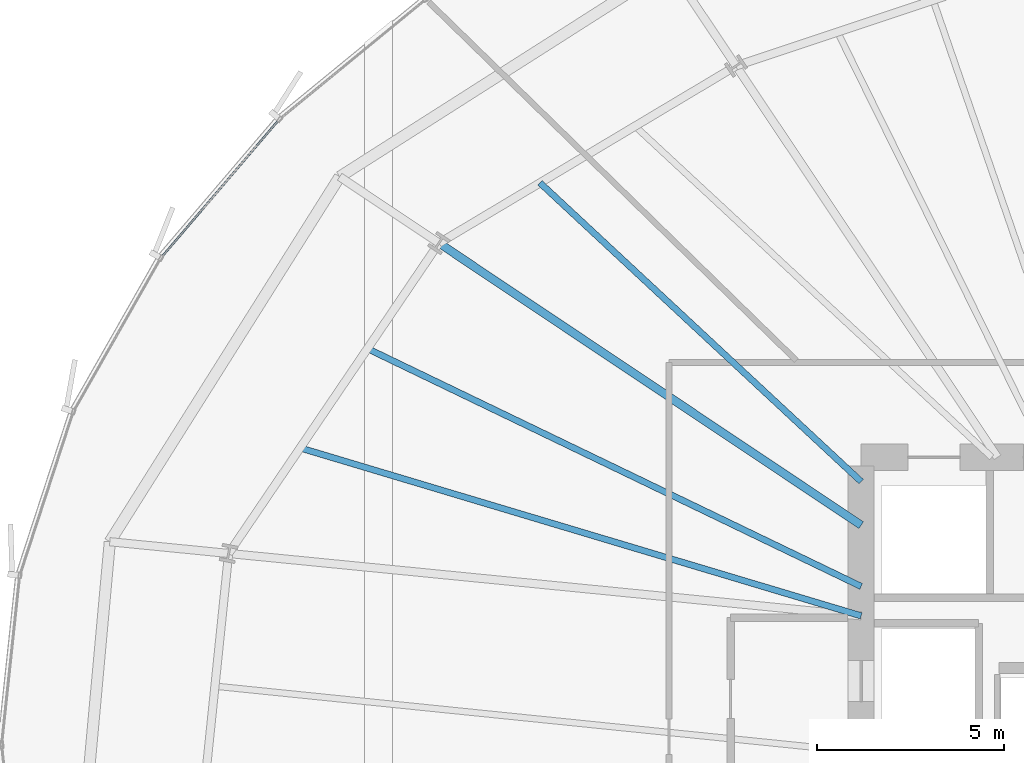
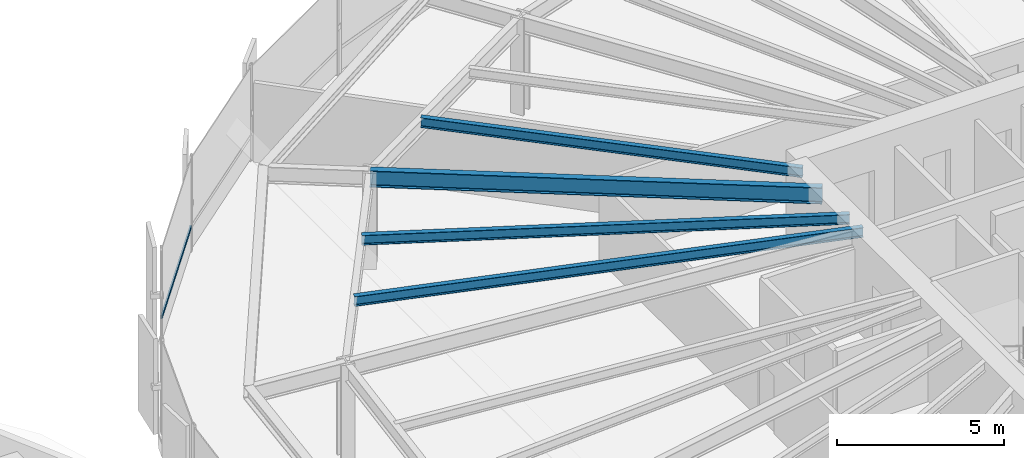
# One storey, part 16 of 38: 4 beams, 1 member, 1 element without a shape of its own.
"""IFC4 building model written with IfcOpenShell, lengths in metres."""

from ifc_helpers import new_model, si_unit, direction, frame, origin, origin_2d, place, context, subcontext, project, spatial, hollow_rectangle, i_section, extrude, source, transform, mapped, material, layer, layer_set, material_profile, profile_set, type_object, element, aggregate, save


model = new_model("IFC4")

# Units and contexts
model_context = context("Model", 3, precision=1e-05, world=origin(), true_north=direction((0.0, 1.0)))
body_context = subcontext(model_context, "Body", "Model", "MODEL_VIEW")
ifc_project = project(units=[si_unit("LENGTHUNIT", "METRE"), si_unit("AREAUNIT", "SQUARE_METRE"), si_unit("VOLUMEUNIT", "CUBIC_METRE"), si_unit("PLANEANGLEUNIT", "RADIAN"), si_unit("MASSUNIT", "GRAM", prefix="KILO"), si_unit("THERMODYNAMICTEMPERATUREUNIT", "KELVIN")], contexts=[model_context])

# Site, building, storey
site_placement = place(None, origin())
site = spatial("IfcSite", under=ifc_project, at=site_placement, CompositionType="ELEMENT")
building_placement = place(site_placement, origin())
building = spatial("IfcBuilding", under=site, at=building_placement, Name="Kethvar Cultural Tower", CompositionType="ELEMENT")
storey_placement = place(building_placement, frame((0.0, 0.0, 29.60009765625)))
storey = spatial("IfcBuildingStorey", under=building, at=storey_placement, Name="L06", CompositionType="ELEMENT", Elevation=29.60009765625)

# Beams
ifc_material_1 = material(Name="Steel S355J2", Category="steel")
ifc_material_profile_1 = material_profile(ifc_material_1, i_section(OverallWidth=0.219970703125, OverallDepth=0.60009765625, WebThickness=0.011962890625, FlangeThickness=0.01904296875, FilletRadius=0.02392578125, at=origin_2d()), Name="Steel S355J2 — IPE600")
ifc_profile_set_1 = profile_set([ifc_material_profile_1], Name="Steel S355J2 — IPE600")
beam_type_1 = type_object("IfcBeamType", Name="BM-IPE600", PredefinedType="BEAM", material=ifc_profile_set_1)
shared_shape_1 = source(origin(), body_context, "Body", "SweptSolid", [
    extrude(i_section(OverallWidth=0.219970703125, OverallDepth=0.60009765625, WebThickness=0.011962890625, FlangeThickness=0.01904296875, FilletRadius=0.02392578125, at=origin_2d()), origin(), (0.0, 0.0, 1.0), 13.60888671875),
])
beam_1_placement = place(storey_placement, frame((38.0, 33.679931640625, 3.247802734375), z_axis=(-0.831467486755, 0.555573414113, 0.0), x_axis=(-0.555573414113, -0.831467486755, 0.0)))
element("IfcBeam", 1, at=beam_1_placement, inside=storey, type_object=beam_type_1, Name="L06 Primary Radial Beam RB-07", PredefinedType="BEAM", context=body_context, shape_type="MappedRepresentation", body=[
    mapped(shared_shape_1, transform((0.0, 0.0, 0.0), scale=1.0)),
])
ifc_material_profile_2 = material_profile(ifc_material_1, i_section(OverallWidth=0.169921875, OverallDepth=0.360107421875, WebThickness=0.008056640625, FlangeThickness=0.0126953125, FilletRadius=0.01806640625, at=origin_2d()), Name="Steel S355J2 — IPE360")
ifc_profile_set_2 = profile_set([ifc_material_profile_2], Name="Steel S355J2 — IPE360")
beam_type_2 = type_object("IfcBeamType", Name="BM-J360", PredefinedType="JOIST", material=ifc_profile_set_2)
shared_shape_2 = source(origin(), body_context, "Body", "SweptSolid", [
    extrude(i_section(OverallWidth=0.169921875, OverallDepth=0.360107421875, WebThickness=0.008056640625, FlangeThickness=0.0126953125, FilletRadius=0.01806640625, at=origin_2d()), origin(), (0.0, 0.0, 1.0), 11.75537109375),
])
beam_2_placement = place(storey_placement, frame((38.0, 34.85009765625, 3.367919921875), z_axis=(-0.732290300234, 0.680992596276, 0.0), x_axis=(-0.680992596276, -0.732290300234, 0.0)))
element("IfcBeam", 2, at=beam_2_placement, inside=storey, type_object=beam_type_2, Name="L06 Composite Floor Joist J-06B", PredefinedType="JOIST", context=body_context, shape_type="MappedRepresentation", body=[
    mapped(shared_shape_2, transform((0.0, 0.0, 0.0), scale=1.0)),
])
shared_shape_3 = source(origin(), body_context, "Body", "SweptSolid", [
    extrude(i_section(OverallWidth=0.169921875, OverallDepth=0.360107421875, WebThickness=0.008056640625, FlangeThickness=0.0126953125, FilletRadius=0.01806640625, at=origin_2d()), origin(), (0.0, 0.0, 1.0), 14.687255859375),
])
beam_3_placement = place(storey_placement, frame((38.0, 32.038818359375, 3.367919921875), z_axis=(-0.900928984091, 0.433966548971, 0.0), x_axis=(-0.433966548971, -0.900928984091, 0.0)))
element("IfcBeam", 3, at=beam_3_placement, inside=storey, type_object=beam_type_2, Name="L06 Composite Floor Joist J-07A", PredefinedType="JOIST", context=body_context, shape_type="MappedRepresentation", body=[
    mapped(shared_shape_3, transform((0.0, 0.0, 0.0), scale=1.0)),
])
shared_shape_4 = source(origin(), body_context, "Body", "SweptSolid", [
    extrude(i_section(OverallWidth=0.169921875, OverallDepth=0.360107421875, WebThickness=0.008056640625, FlangeThickness=0.0126953125, FilletRadius=0.01806640625, at=origin_2d()), origin(), (0.0, 0.0, 1.0), 15.6953125),
])
beam_4_placement = place(storey_placement, frame((38.0, 31.25, 3.367919921875), z_axis=(-0.958003344758, 0.28675702508, 0.0), x_axis=(-0.28675702508, -0.958003344758, 0.0)))
element("IfcBeam", 4, at=beam_4_placement, inside=storey, type_object=beam_type_2, Name="L06 Composite Floor Joist J-07B", PredefinedType="JOIST", context=body_context, shape_type="MappedRepresentation", body=[
    mapped(shared_shape_4, transform((0.0, 0.0, 0.0), scale=1.0)),
])

# Curtain wall, member
ifc_material_2 = material(Name="Aluminium 6063-T6", Category="aluminium")
ifc_layer = layer(ifc_material_2, 0.179931640625, Name="Aluminium 6063-T6", Category="aluminium")
ifc_layer_set = layer_set([ifc_layer], Name="Aluminium 6063-T6 (180 mm)")
curtain_wall_type = type_object("IfcCurtainWallType", Name="CW-SYS-02-Z1", PredefinedType="NOTDEFINED", material=ifc_layer_set)
curtain_wall_placement = place(storey_placement, origin())
curtain_wall = element("IfcCurtainWall", 5, at=curtain_wall_placement, inside=storey, type_object=curtain_wall_type, Name="L06 Curtain Wall Run 03", PredefinedType="NOTDEFINED")
ifc_material_profile_3 = material_profile(ifc_material_2, hollow_rectangle(XDim=0.054931640625, YDim=0.1201171875, WallThickness=0.00390625, at=origin_2d()), Name="Aluminium 6063-T6 — RHS120x55x4")
ifc_profile_set_3 = profile_set([ifc_material_profile_3], Name="Aluminium 6063-T6 — RHS120x55x4")
member_type = type_object("IfcMemberType", Name="CW-SYS-02-Z1-TRN", PredefinedType="USERDEFINED", material=ifc_profile_set_3)
shared_shape_5 = source(origin(), body_context, "Body", "SweptSolid", [
    extrude(hollow_rectangle(XDim=0.054931640625, YDim=0.1201171875, WallThickness=0.00390625, at=origin_2d()), origin(), (0.0, 0.0, 1.0), 4.826416015625),
])
member_placement = place(storey_placement, frame((22.3779296875, 44.527587890625, 0.949951171875), z_axis=(-0.649461477569, -0.760394495741, 0.0), x_axis=(0.760394495741, -0.649461477569, 0.0)))
member = element("IfcMember", 6, at=member_placement, type_object=member_type, Name="CW-L06-R03 Transom 3", ObjectType="TRANSOM", PredefinedType="USERDEFINED", context=body_context, shape_type="MappedRepresentation", body=[
    mapped(shared_shape_5, transform((0.0, 0.0, 0.0), scale=1.0)),
])
aggregate(curtain_wall, [member])

save(model, "model.ifc")
